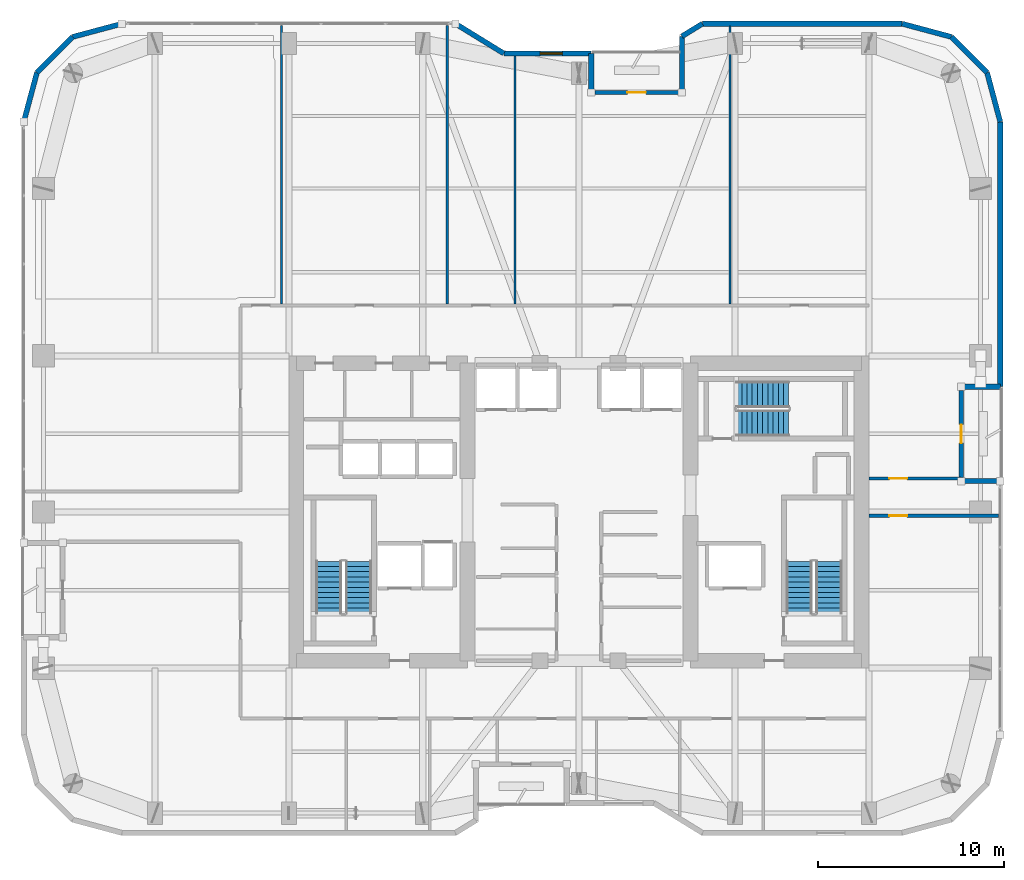
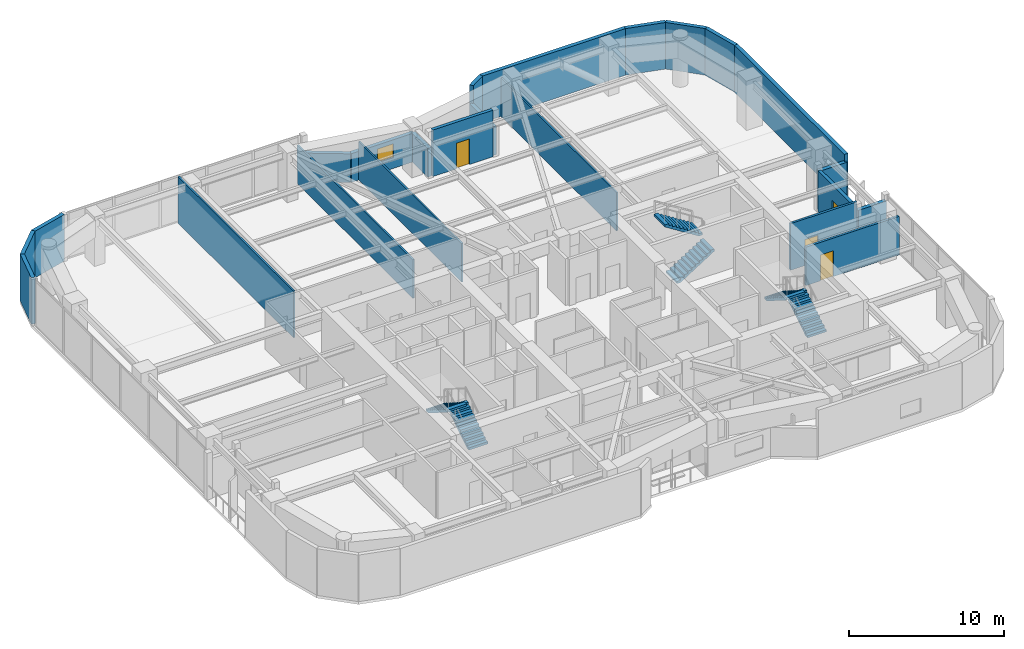
# One storey, part 27 of 30: 23 walls, 6 stair flights, 4 doors, 1 window, 5 openings, 3 elements without a shape of their own.
"""IFC4 building model written with IfcOpenShell, lengths in metres."""

from ifc_helpers import new_model, si_unit, direction, frame, frame_2d, origin, place, context, subcontext, project, spatial, polyline, rectangle, outline, extrude, material, layer, layer_set, type_object, element, fill, aggregate, save


model = new_model("IFC4")

# Units and contexts
model_context = context("Model", 3, precision=1e-05, world=origin(), true_north=direction((0.0, 1.0)))
body_context = subcontext(model_context, "Body", "Model", "MODEL_VIEW")
ifc_project = project(units=[si_unit("LENGTHUNIT", "METRE"), si_unit("AREAUNIT", "SQUARE_METRE"), si_unit("VOLUMEUNIT", "CUBIC_METRE"), si_unit("PLANEANGLEUNIT", "RADIAN"), si_unit("MASSUNIT", "GRAM", prefix="KILO")], contexts=[model_context])

# Site, building, storey
site_placement = place(None, origin())
site = spatial("IfcSite", under=ifc_project, at=site_placement, CompositionType="ELEMENT")
building_placement = place(site_placement, origin())
building = spatial("IfcBuilding", under=site, at=building_placement, Name="Kiyonajd Concourse Tower", CompositionType="ELEMENT")
storey_placement = place(building_placement, frame((0.0, 0.0, 170.10009765625)))
storey = spatial("IfcBuildingStorey", under=building, at=storey_placement, Name="L43", CompositionType="ELEMENT", Elevation=170.10009765625)

# Walls
ifc_material_1 = material(Name="Precast concrete C50/60", Category="concrete")
ifc_layer_1 = layer(ifc_material_1, 0.280029296875)
ifc_layer_set_1 = layer_set([ifc_layer_1], Name="Precast concrete C50/60")
wall_type_1 = type_object("IfcWallType", Name="WL-EXT-280", PredefinedType="SOLIDWALL", material=ifc_layer_set_1)
wall_1_placement = place(storey_placement, frame((18.139892578125, 56.981689453125, 0.0), z_axis=(0.0, 0.0, 1.0), x_axis=(0.258672222976, 0.9659651552, 0.0)))
element("IfcWall", 1, at=wall_1_placement, inside=storey, type_object=wall_type_1, Name="L43 Exterior Concrete Frame Wall 06", PredefinedType="SOLIDWALL", context=body_context, shape_type="SweptSolid", body=[
    extrude(rectangle(XDim=2.739013671875, YDim=0.280029296875, at=frame_2d((1.36962890625, 0.0))), origin(), (0.0, 0.0, 1.0), 3.679931640625),
])
wall_2_placement = place(storey_placement, frame((18.848388671875, 59.62744140625, 0.0), z_axis=(0.0, 0.0, 1.0), x_axis=(0.707106781187, 0.707106781187, 0.0)))
element("IfcWall", 2, at=wall_2_placement, inside=storey, type_object=wall_type_1, Name="L43 Exterior Concrete Frame Wall 07", PredefinedType="SOLIDWALL", context=body_context, shape_type="SweptSolid", body=[
    extrude(rectangle(XDim=2.720947265625, YDim=0.280029296875, at=frame_2d((1.3603515625, 0.0))), origin(), (0.0, 0.0, 1.0), 3.679931640625),
])
wall_3_placement = place(storey_placement, frame((20.7724609375, 61.551513671875, 0.0), z_axis=(0.0, 0.0, 1.0), x_axis=(0.965971118627, 0.258649952598, 0.0)))
element("IfcWall", 3, at=wall_3_placement, inside=storey, type_object=wall_type_1, Name="L43 Exterior Concrete Frame Wall 08", PredefinedType="SOLIDWALL", context=body_context, shape_type="SweptSolid", body=[
    extrude(rectangle(XDim=2.7392578125, YDim=0.280029296875, at=frame_2d((1.36962890625, 0.0))), origin(), (0.0, 0.0, 1.0), 3.679931640625),
])
wall_4_placement = place(storey_placement, frame((41.3603515625, 62.260009765625, 0.0), z_axis=(0.0, 0.0, 1.0), x_axis=(0.851652825334, -0.524106349037, 0.0)))
element("IfcWall", 4, at=wall_4_placement, inside=storey, type_object=wall_type_1, Name="L43 Exterior Concrete Frame Wall 10", PredefinedType="SOLIDWALL", context=body_context, shape_type="SweptSolid", body=[
    extrude(rectangle(XDim=3.052978515625, YDim=0.280029296875, at=frame_2d((1.5263671875, 0.0))), origin(), (0.0, 0.0, 1.0), 2.264892578125),
])

# Wall, opening, window
wall_5_placement = place(storey_placement, frame((43.96044921875, 60.659912109375, 0.0), z_axis=(0.0, 0.0, 1.0), x_axis=(1.0, 0.0, 0.0)))
wall_5 = element("IfcWall", 5, at=wall_5_placement, inside=storey, type_object=wall_type_1, Name="L43 Exterior Concrete Frame Wall 11", PredefinedType="SOLIDWALL", context=body_context, shape_type="SweptSolid", body=[
    extrude(rectangle(XDim=4.699462890625, YDim=0.280029296875, at=frame_2d((2.349609375, 0.0))), origin(), (0.0, 0.0, 1.0), 2.264892578125),
])
opening_1_placement = place(wall_5_placement, frame((1.955078125, 0.0, 0.85009765625)))
opening_1 = element("IfcOpeningElement", 6, at=opening_1_placement, cuts=wall_5, Name="Opening WN3", PredefinedType="OPENING", context=body_context, shape_type="SweptSolid", body=[
    extrude(rectangle(XDim=1.199951171875, YDim=1.10009765625, at=frame_2d((0.60009765625, 0.550048828125))), frame((0.0, 0.14990234375, 0.0), z_axis=(0.0, -1.0, 0.0), x_axis=(1.0, 0.0, 0.0)), (0.0, 0.0, 1.0), 0.300048828125),
])
ifc_material_2 = material(Name="Double Low-E Insulated Glass", Category="glass")
window_type = type_object("IfcWindowType", Name="WN-VIS-1200x1100", PartitioningType="SINGLE_PANEL", PredefinedType="WINDOW", material=ifc_material_2)
window_placement = place(opening_1_placement, origin())
window = element("IfcWindow", 7, at=window_placement, inside=storey, type_object=window_type, Name="L43 Modular Facade Vision Window 11", OverallHeight=1.10009765625, OverallWidth=1.199951171875, PartitioningType="SINGLE_PANEL", PredefinedType="WINDOW", context=body_context, shape_type="SweptSolid", body=[
    extrude(rectangle(XDim=1.199951171875, YDim=1.10009765625, at=frame_2d((0.60009765625, 0.550048828125))), frame((0.0, 0.030029296875, 0.0), z_axis=(0.0, -1.0, 0.0), x_axis=(1.0, 0.0, 0.0)), (0.0, 0.0, 1.0), 0.06005859375),
])
fill(opening_1, window)

# Walls
wall_6_placement = place(storey_placement, frame((48.659912109375, 60.659912109375, 0.0), z_axis=(0.0, 0.0, 1.0), x_axis=(0.0, -1.0, 0.0)))
element("IfcWall", 8, at=wall_6_placement, inside=storey, type_object=wall_type_1, Name="L43 Exterior Concrete Frame Wall 12", PredefinedType="SOLIDWALL", context=body_context, shape_type="SweptSolid", body=[
    extrude(rectangle(XDim=2.099853515625, YDim=0.280029296875, at=frame_2d((1.0498046875, 0.0))), origin(), (0.0, 0.0, 1.0), 2.264892578125),
])
wall_7_placement = place(storey_placement, frame((53.5400390625, 58.56005859375, 0.0), z_axis=(0.0, 0.0, 1.0), x_axis=(0.0, 1.0, 0.0)))
element("IfcWall", 9, at=wall_7_placement, inside=storey, type_object=wall_type_1, Name="L43 Exterior Concrete Frame Wall 14", PredefinedType="SOLIDWALL", context=body_context, shape_type="SweptSolid", body=[
    extrude(rectangle(XDim=3.023681640625, YDim=0.280029296875, at=frame_2d((1.51171875, 0.0))), origin(), (0.0, 0.0, 1.0), 2.264892578125),
])
wall_8_placement = place(storey_placement, frame((53.5400390625, 61.583740234375, 0.0), z_axis=(0.0, 0.0, 1.0), x_axis=(0.851801140441, 0.523865266212, 0.0)))
element("IfcWall", 10, at=wall_8_placement, inside=storey, type_object=wall_type_1, Name="L43 Exterior Concrete Frame Wall 15", PredefinedType="SOLIDWALL", context=body_context, shape_type="SweptSolid", body=[
    extrude(rectangle(XDim=1.291015625, YDim=0.280029296875, at=frame_2d((0.6455078125, 0.0))), origin(), (0.0, 0.0, 1.0), 3.679931640625),
])
wall_9_placement = place(storey_placement, frame((54.6396484375, 62.260009765625, 0.0), z_axis=(0.0, 0.0, 1.0), x_axis=(1.0, 0.0, 0.0)))
element("IfcWall", 11, at=wall_9_placement, inside=storey, type_object=wall_type_1, Name="L43 Exterior Concrete Frame Wall 16", PredefinedType="SOLIDWALL", context=body_context, shape_type="SweptSolid", body=[
    extrude(rectangle(XDim=10.741943359375, YDim=0.280029296875, at=frame_2d((5.37109375, 0.0))), origin(), (0.0, 0.0, 1.0), 3.679931640625),
])
wall_10_placement = place(storey_placement, frame((65.381591796875, 62.260009765625, 0.0), z_axis=(0.0, 0.0, 1.0), x_axis=(0.965971118627, -0.258649952598, 0.0)))
element("IfcWall", 12, at=wall_10_placement, inside=storey, type_object=wall_type_1, Name="L43 Exterior Concrete Frame Wall 17", PredefinedType="SOLIDWALL", context=body_context, shape_type="SweptSolid", body=[
    extrude(rectangle(XDim=2.7392578125, YDim=0.280029296875, at=frame_2d((1.36962890625, 0.0))), origin(), (0.0, 0.0, 1.0), 3.679931640625),
])
wall_11_placement = place(storey_placement, frame((68.027587890625, 61.551513671875, 0.0), z_axis=(0.0, 0.0, 1.0), x_axis=(0.707061915429, -0.707151644098, 0.0)))
element("IfcWall", 13, at=wall_11_placement, inside=storey, type_object=wall_type_1, Name="L43 Exterior Concrete Frame Wall 18", PredefinedType="SOLIDWALL", context=body_context, shape_type="SweptSolid", body=[
    extrude(rectangle(XDim=2.720947265625, YDim=0.280029296875, at=frame_2d((1.3603515625, 0.0))), origin(), (0.0, 0.0, 1.0), 3.679931640625),
])
wall_12_placement = place(storey_placement, frame((69.951416015625, 59.62744140625, 0.0), z_axis=(0.0, 0.0, 1.0), x_axis=(0.258672222976, -0.9659651552, 0.0)))
element("IfcWall", 14, at=wall_12_placement, inside=storey, type_object=wall_type_1, Name="L43 Exterior Concrete Frame Wall 19", PredefinedType="SOLIDWALL", context=body_context, shape_type="SweptSolid", body=[
    extrude(rectangle(XDim=2.739013671875, YDim=0.280029296875, at=frame_2d((1.36962890625, 0.0))), origin(), (0.0, 0.0, 1.0), 3.679931640625),
])
wall_13_placement = place(storey_placement, frame((70.659912109375, 56.981689453125, 0.0), z_axis=(0.0, 0.0, 1.0), x_axis=(0.0, -1.0, 0.0)))
element("IfcWall", 15, at=wall_13_placement, inside=storey, type_object=wall_type_1, Name="L43 Exterior Concrete Frame Wall 20", PredefinedType="SOLIDWALL", context=body_context, shape_type="SweptSolid", body=[
    extrude(rectangle(XDim=14.24169921875, YDim=0.280029296875, at=frame_2d((7.120849609375, 0.0))), origin(), (0.0, 0.0, 1.0), 3.679931640625),
])
for number, where, z_axis, x_axis, name in (
    (16, (70.659912109375, 42.739990234375, 0.0), (0.0, 0.0, 1.0), (-1.0, 0.0, 0.0), "L43 Exterior Concrete Frame Wall 21"),
    (17, (68.56005859375, 37.659912109375, 0.0), (0.0, 0.0, 1.0), (1.0, 0.0, 0.0), "L43 Exterior Concrete Frame Wall 23"),
):
    element("IfcWall", number, at=place(storey_placement, frame(where, z_axis=z_axis, x_axis=x_axis)), inside=storey, type_object=wall_type_1, Name=name, PredefinedType="SOLIDWALL", context=body_context, shape_type="SweptSolid", body=[
        extrude(rectangle(XDim=2.099853515625, YDim=0.280029296875, at=frame_2d((1.0498046875, 0.0))), origin(), (0.0, 0.0, 1.0), 3.115966796875),
    ])

# Wall, opening, door
ifc_layer_2 = layer(ifc_material_1, 0.239990234375)
ifc_layer_set_2 = layer_set([ifc_layer_2], Name="Precast concrete C50/60")
wall_type_2 = type_object("IfcWallType", Name="WL-LOG-240", PredefinedType="SOLIDWALL", material=ifc_layer_set_2)
wall_14_placement = place(storey_placement, frame((48.85498046875, 58.56005859375, 0.0), z_axis=(0.0, 0.0, 1.0), x_axis=(1.0, 0.0, 0.0)))
wall_14 = element("IfcWall", 18, at=wall_14_placement, inside=storey, type_object=wall_type_2, Name="L43 Recessed Loggia Thermal Wall LOG-N", PredefinedType="SOLIDWALL", context=body_context, shape_type="SweptSolid", body=[
    extrude(rectangle(XDim=4.489990234375, YDim=0.239990234375, at=frame_2d((2.2451171875, 0.0))), origin(), (0.0, 0.0, 1.0), 3.679931640625),
])
opening_2_placement = place(wall_14_placement, frame((1.7451171875, 0.0, 0.0)))
opening_2 = element("IfcOpeningElement", 19, at=opening_2_placement, cuts=wall_14, Name="Opening DL1", PredefinedType="OPENING", context=body_context, shape_type="SweptSolid", body=[
    extrude(rectangle(XDim=1.0, YDim=2.02001953125, at=frame_2d((0.5, 1.010009765625))), frame((0.0, 0.1298828125, 0.0), z_axis=(0.0, -1.0, 0.0), x_axis=(1.0, 0.0, 0.0)), (0.0, 0.0, 1.0), 0.260009765625),
])
ifc_material_3 = material(Name="Thermally Broken Anodised Aluminium", Category="aluminium")
door_type_1 = type_object("IfcDoorType", Name="DR-LOG-1000", OperationType="NOTDEFINED", PredefinedType="DOOR", material=ifc_material_3)
door_1_placement = place(opening_2_placement, origin())
door_1 = element("IfcDoor", 20, at=door_1_placement, inside=storey, type_object=door_type_1, Name="L43 Engawa Loggia Access Door LOG-N", OperationType="SINGLE_SWING_RIGHT", OverallHeight=2.02001953125, OverallWidth=1.0, PredefinedType="DOOR", context=body_context, shape_type="SweptSolid", body=[
    extrude(rectangle(XDim=1.0, YDim=2.02001953125, at=frame_2d((0.5, 1.010009765625))), frame((0.0, 0.02490234375, 0.0), z_axis=(0.0, -1.0, 0.0), x_axis=(1.0, 0.0, 0.0)), (0.0, 0.0, 1.0), 0.050048828125),
])
fill(opening_2, door_1)

wall_15_placement = place(storey_placement, frame((68.56005859375, 42.544921875, 0.0), z_axis=(0.0, 0.0, 1.0), x_axis=(0.0, -1.0, 0.0)))
wall_15 = element("IfcWall", 21, at=wall_15_placement, inside=storey, type_object=wall_type_2, Name="L43 Recessed Loggia Thermal Wall LOG-E", PredefinedType="SOLIDWALL", context=body_context, shape_type="SweptSolid", body=[
    extrude(rectangle(XDim=4.68994140625, YDim=0.239990234375, at=frame_2d((2.344970703125, 0.0))), origin(), (0.0, 0.0, 1.0), 3.247802734375),
])
opening_3_placement = place(wall_15_placement, frame((1.844970703125, 0.0, 0.0)))
opening_3 = element("IfcOpeningElement", 22, at=opening_3_placement, cuts=wall_15, Name="Opening DL1", PredefinedType="OPENING", context=body_context, shape_type="SweptSolid", body=[
    extrude(rectangle(XDim=1.0, YDim=2.02001953125, at=frame_2d((0.5, 1.010009765625))), frame((0.0, 0.1298828125, 0.0), z_axis=(0.0, -1.0, 0.0), x_axis=(1.0, 0.0, 0.0)), (0.0, 0.0, 1.0), 0.260009765625),
])
door_2_placement = place(opening_3_placement, origin())
door_2 = element("IfcDoor", 23, at=door_2_placement, inside=storey, type_object=door_type_1, Name="L43 Engawa Loggia Access Door LOG-E", OperationType="SINGLE_SWING_LEFT", OverallHeight=2.02001953125, OverallWidth=1.0, PredefinedType="DOOR", context=body_context, shape_type="SweptSolid", body=[
    extrude(rectangle(XDim=1.0, YDim=2.02001953125, at=frame_2d((0.5, 1.010009765625))), frame((0.0, 0.02490234375, 0.0), z_axis=(0.0, -1.0, 0.0), x_axis=(1.0, 0.0, 0.0)), (0.0, 0.0, 1.0), 0.050048828125),
])
fill(opening_3, door_2)

# Walls
ifc_material_4 = material(Name="Gypsum Board on Cold-Formed Steel Stud", Category="steel")
ifc_layer_3 = layer(ifc_material_4, 0.125)
ifc_layer_set_3 = layer_set([ifc_layer_3], Name="Gypsum Board on Cold-Formed Steel Stud")
wall_type_3 = type_object("IfcWallType", Name="WL-PART-125", PredefinedType="PARTITIONING", material=ifc_layer_set_3)
wall_16_placement = place(storey_placement, frame((32.0, 47.197021484375, 0.0), z_axis=(0.0, 0.0, 1.0), x_axis=(0.0, 1.0, 0.0)))
element("IfcWall", 24, at=wall_16_placement, inside=storey, type_object=wall_type_3, Name="L43 Interior Partition Wall", PredefinedType="PARTITIONING", context=body_context, shape_type="SweptSolid", body=[
    extrude(rectangle(XDim=14.968017578125, YDim=0.125, at=frame_2d((7.48388671875, 0.0))), origin(), (0.0, 0.0, 1.0), 3.679931640625),
])
wall_17_placement = place(storey_placement, frame((40.919921875, 47.197021484375, 0.0), z_axis=(0.0, 0.0, 1.0), x_axis=(0.0, 1.0, 0.0)))
element("IfcWall", 25, at=wall_17_placement, inside=storey, type_object=wall_type_3, Name="L43 Interior Partition Wall", PredefinedType="PARTITIONING", context=body_context, shape_type="SweptSolid", body=[
    extrude(rectangle(XDim=14.968017578125, YDim=0.125, at=frame_2d((7.48388671875, 0.0))), origin(), (0.0, 0.0, 1.0), 3.04296875),
])
wall_18_placement = place(storey_placement, frame((44.56005859375, 47.197021484375, 0.0), z_axis=(0.0, 0.0, 1.0), x_axis=(0.0, 1.0, 0.0)))
element("IfcWall", 26, at=wall_18_placement, inside=storey, type_object=wall_type_3, Name="L43 Interior Partition Wall", PredefinedType="PARTITIONING", context=body_context, shape_type="SweptSolid", body=[
    extrude(rectangle(XDim=13.327880859375, YDim=0.125, at=frame_2d((6.6640625, 0.0))), origin(), (0.0, 0.0, 1.0), 3.04296875),
])
wall_19_placement = place(storey_placement, frame((56.1201171875, 47.197021484375, 0.0), z_axis=(0.0, 0.0, 1.0), x_axis=(0.0, 1.0, 0.0)))
element("IfcWall", 27, at=wall_19_placement, inside=storey, type_object=wall_type_3, Name="L43 Interior Partition Wall", PredefinedType="PARTITIONING", context=body_context, shape_type="SweptSolid", body=[
    extrude(rectangle(XDim=14.927978515625, YDim=0.125, at=frame_2d((7.4638671875, 0.0))), origin(), (0.0, 0.0, 1.0), 3.04296875),
])

# Wall, opening, door
ifc_layer_4 = layer(ifc_material_4, 0.169921875)
ifc_layer_set_4 = layer_set([ifc_layer_4], Name="Gypsum Board on Cold-Formed Steel Stud")
wall_type_4 = type_object("IfcWallType", Name="WL-SMK-170", PredefinedType="PARTITIONING", material=ifc_layer_set_4)
wall_20_placement = place(storey_placement, frame((63.60009765625, 35.800048828125, 0.0), z_axis=(0.0, 0.0, 1.0), x_axis=(1.0, 0.0, 0.0)))
wall_20 = element("IfcWall", 28, at=wall_20_placement, inside=storey, type_object=wall_type_4, Name="L43 Interior Partition Wall", PredefinedType="PARTITIONING", context=body_context, shape_type="SweptSolid", body=[
    extrude(rectangle(XDim=6.974853515625, YDim=0.169921875, at=frame_2d((3.4873046875, 0.0))), origin(), (0.0, 0.0, 1.0), 3.04296875),
])
opening_4_placement = place(wall_20_placement, frame((1.10009765625, 0.0, 0.0)))
opening_4 = element("IfcOpeningElement", 29, at=opening_4_placement, cuts=wall_20, Name="Opening DI1", PredefinedType="OPENING", context=body_context, shape_type="SweptSolid", body=[
    extrude(rectangle(XDim=0.949951171875, YDim=2.0400390625, at=frame_2d((0.47509765625, 1.02001953125))), frame((0.0, 0.094970703125, 0.0), z_axis=(0.0, -1.0, 0.0), x_axis=(1.0, 0.0, 0.0)), (0.0, 0.0, 1.0), 0.18994140625),
])
ifc_material_5 = material(Name="Natural Oak Acoustic Timber Veneer", Category="wood")
door_type_2 = type_object("IfcDoorType", Name="DR-INT-950", OperationType="NOTDEFINED", PredefinedType="DOOR", material=ifc_material_5)
door_3_placement = place(opening_4_placement, origin())
door_3 = element("IfcDoor", 30, at=door_3_placement, inside=storey, type_object=door_type_2, Name="L43 Interior Door", OperationType="SINGLE_SWING_RIGHT", OverallHeight=2.0400390625, OverallWidth=0.949951171875, PredefinedType="DOOR", context=body_context, shape_type="SweptSolid", body=[
    extrude(rectangle(XDim=0.949951171875, YDim=2.0400390625, at=frame_2d((0.47509765625, 1.02001953125))), frame((0.0, 0.02490234375, 0.0), z_axis=(0.0, -1.0, 0.0), x_axis=(1.0, 0.0, 0.0)), (0.0, 0.0, 1.0), 0.050048828125),
])
fill(opening_4, door_3)

wall_21_placement = place(storey_placement, frame((63.60009765625, 37.800048828125, 0.0), z_axis=(0.0, 0.0, 1.0), x_axis=(1.0, 0.0, 0.0)))
wall_21 = element("IfcWall", 31, at=wall_21_placement, inside=storey, type_object=wall_type_4, Name="L43 Interior Partition Wall", PredefinedType="PARTITIONING", context=body_context, shape_type="SweptSolid", body=[
    extrude(rectangle(XDim=4.9599609375, YDim=0.169921875, at=frame_2d((2.47998046875, 0.0))), origin(), (0.0, 0.0, 1.0), 3.679931640625),
])
opening_5_placement = place(wall_21_placement, frame((1.10009765625, 0.0, 0.0)))
opening_5 = element("IfcOpeningElement", 32, at=opening_5_placement, cuts=wall_21, Name="Opening DI1", PredefinedType="OPENING", context=body_context, shape_type="SweptSolid", body=[
    extrude(rectangle(XDim=0.949951171875, YDim=2.0400390625, at=frame_2d((0.47509765625, 1.02001953125))), frame((0.0, 0.094970703125, 0.0), z_axis=(0.0, -1.0, 0.0), x_axis=(1.0, 0.0, 0.0)), (0.0, 0.0, 1.0), 0.18994140625),
])
door_4_placement = place(opening_5_placement, origin())
door_4 = element("IfcDoor", 33, at=door_4_placement, inside=storey, type_object=door_type_2, Name="L43 Interior Door", OperationType="SINGLE_SWING_LEFT", OverallHeight=2.0400390625, OverallWidth=0.949951171875, PredefinedType="DOOR", context=body_context, shape_type="SweptSolid", body=[
    extrude(rectangle(XDim=0.949951171875, YDim=2.0400390625, at=frame_2d((0.47509765625, 1.02001953125))), frame((0.0, 0.02490234375, 0.0), z_axis=(0.0, -1.0, 0.0), x_axis=(1.0, 0.0, 0.0)), (0.0, 0.0, 1.0), 0.050048828125),
])
fill(opening_5, door_4)

# Stair, stair flights
ifc_material_6 = material(Name="Concrete C40/50", Category="concrete")
stair_type = type_object("IfcStairType", Name="ST-DLG-22R", PredefinedType="HALF_TURN_STAIR", material=ifc_material_6)
stair_1_placement = place(storey_placement, origin())
stair_1 = element("IfcStair", 34, at=stair_1_placement, inside=storey, type_object=stair_type, Name="L43 Protected Exit Stair ST1", PredefinedType="HALF_TURN_STAIR")
stair_flight_type = type_object("IfcStairFlightType", Name="SF-STR-22R", PredefinedType="STRAIGHT", material=ifc_material_6)
stair_flight_1_placement = place(storey_placement, frame((36.14990234375, 30.550048828125, 0.0), z_axis=(0.0, 0.0, 1.0), x_axis=(0.0, 1.0, 0.0)))
stair_flight_1 = element("IfcStairFlight", 35, at=stair_flight_1_placement, type_object=stair_flight_type, Name="ST1 flight 1", NumberOfRisers=11, NumberOfTreads=10, PredefinedType="STRAIGHT", RiserHeight=0.177272727, TreadLength=0.28, context=body_context, shape_type="SweptSolid", body=[
    extrude(outline(polyline([(0.0, 0.0), (0.0, 0.17724609375), (0.280029296875, 0.17724609375), (0.280029296875, 0.3544921875), (0.56005859375, 0.3544921875), (0.56005859375, 0.53173828125), (0.840087890625, 0.53173828125), (0.840087890625, 0.708984375), (1.1201171875, 0.708984375), (1.1201171875, 0.886474609375), (1.39990234375, 0.886474609375), (1.39990234375, 1.063720703125), (1.679931640625, 1.063720703125), (1.679931640625, 1.240966796875), (1.9599609375, 1.240966796875), (1.9599609375, 1.418212890625), (2.239990234375, 1.418212890625), (2.239990234375, 1.595458984375), (2.52001953125, 1.595458984375), (2.52001953125, 1.772705078125), (2.800048828125, 1.772705078125), (2.800048828125, 1.949951171875), (2.800048828125, 1.59521484375), (0.2802734375, 0.0), (0.0, 0.0)])), frame((0.0, 0.699951171875, 0.0), z_axis=(0.0, -1.0, 0.0), x_axis=(1.0, 0.0, 0.0)), (0.0, 0.0, 1.0), 1.39990234375),
])
stair_flight_2_placement = place(storey_placement, frame((34.550048828125, 33.35009765625, 1.949951171875), z_axis=(0.0, 0.0, 1.0), x_axis=(0.0, -1.0, 0.0)))
stair_flight_2 = element("IfcStairFlight", 36, at=stair_flight_2_placement, type_object=stair_flight_type, Name="ST1 flight 2", NumberOfRisers=11, NumberOfTreads=10, PredefinedType="STRAIGHT", RiserHeight=0.177272727, TreadLength=0.28, context=body_context, shape_type="SweptSolid", body=[
    extrude(outline(polyline([(0.0, 0.0), (0.0, 0.17724609375), (0.280029296875, 0.17724609375), (0.280029296875, 0.3544921875), (0.56005859375, 0.3544921875), (0.56005859375, 0.53173828125), (0.840087890625, 0.53173828125), (0.840087890625, 0.708984375), (1.1201171875, 0.708984375), (1.1201171875, 0.886474609375), (1.39990234375, 0.886474609375), (1.39990234375, 1.063720703125), (1.679931640625, 1.063720703125), (1.679931640625, 1.240966796875), (1.9599609375, 1.240966796875), (1.9599609375, 1.418212890625), (2.239990234375, 1.418212890625), (2.239990234375, 1.595458984375), (2.52001953125, 1.595458984375), (2.52001953125, 1.772705078125), (2.800048828125, 1.772705078125), (2.800048828125, 1.949951171875), (2.800048828125, 1.59521484375), (0.2802734375, 0.0), (0.0, 0.0)])), frame((0.0, 0.699951171875, 0.0), z_axis=(0.0, -1.0, 0.0), x_axis=(1.0, 0.0, 0.0)), (0.0, 0.0, 1.0), 1.39990234375),
])
aggregate(stair_1, [stair_flight_1, stair_flight_2])

stair_2_placement = place(storey_placement, origin())
stair_2 = element("IfcStair", 37, at=stair_2_placement, inside=storey, type_object=stair_type, Name="L43 Protected Exit Stair ST2", PredefinedType="HALF_TURN_STAIR")
stair_flight_3_placement = place(storey_placement, frame((61.449951171875, 30.550048828125, 0.0), z_axis=(0.0, 0.0, 1.0), x_axis=(0.0, 1.0, 0.0)))
stair_flight_3 = element("IfcStairFlight", 38, at=stair_flight_3_placement, type_object=stair_flight_type, Name="ST2 flight 1", NumberOfRisers=11, NumberOfTreads=10, PredefinedType="STRAIGHT", RiserHeight=0.177272727, TreadLength=0.28, context=body_context, shape_type="SweptSolid", body=[
    extrude(outline(polyline([(0.0, 0.0), (0.0, 0.17724609375), (0.280029296875, 0.17724609375), (0.280029296875, 0.3544921875), (0.56005859375, 0.3544921875), (0.56005859375, 0.53173828125), (0.840087890625, 0.53173828125), (0.840087890625, 0.708984375), (1.1201171875, 0.708984375), (1.1201171875, 0.886474609375), (1.39990234375, 0.886474609375), (1.39990234375, 1.063720703125), (1.679931640625, 1.063720703125), (1.679931640625, 1.240966796875), (1.9599609375, 1.240966796875), (1.9599609375, 1.418212890625), (2.239990234375, 1.418212890625), (2.239990234375, 1.595458984375), (2.52001953125, 1.595458984375), (2.52001953125, 1.772705078125), (2.800048828125, 1.772705078125), (2.800048828125, 1.949951171875), (2.800048828125, 1.59521484375), (0.2802734375, 0.0), (0.0, 0.0)])), frame((0.0, 0.699951171875, 0.0), z_axis=(0.0, -1.0, 0.0), x_axis=(1.0, 0.0, 0.0)), (0.0, 0.0, 1.0), 1.39990234375),
])
stair_flight_4_placement = place(storey_placement, frame((59.85009765625, 33.35009765625, 1.949951171875), z_axis=(0.0, 0.0, 1.0), x_axis=(0.0, -1.0, 0.0)))
stair_flight_4 = element("IfcStairFlight", 39, at=stair_flight_4_placement, type_object=stair_flight_type, Name="ST2 flight 2", NumberOfRisers=11, NumberOfTreads=10, PredefinedType="STRAIGHT", RiserHeight=0.177272727, TreadLength=0.28, context=body_context, shape_type="SweptSolid", body=[
    extrude(outline(polyline([(0.0, 0.0), (0.0, 0.17724609375), (0.280029296875, 0.17724609375), (0.280029296875, 0.3544921875), (0.56005859375, 0.3544921875), (0.56005859375, 0.53173828125), (0.840087890625, 0.53173828125), (0.840087890625, 0.708984375), (1.1201171875, 0.708984375), (1.1201171875, 0.886474609375), (1.39990234375, 0.886474609375), (1.39990234375, 1.063720703125), (1.679931640625, 1.063720703125), (1.679931640625, 1.240966796875), (1.9599609375, 1.240966796875), (1.9599609375, 1.418212890625), (2.239990234375, 1.418212890625), (2.239990234375, 1.595458984375), (2.52001953125, 1.595458984375), (2.52001953125, 1.772705078125), (2.800048828125, 1.772705078125), (2.800048828125, 1.949951171875), (2.800048828125, 1.59521484375), (0.2802734375, 0.0), (0.0, 0.0)])), frame((0.0, 0.699951171875, 0.0), z_axis=(0.0, -1.0, 0.0), x_axis=(1.0, 0.0, 0.0)), (0.0, 0.0, 1.0), 1.39990234375),
])
aggregate(stair_2, [stair_flight_3, stair_flight_4])

stair_3_placement = place(storey_placement, origin())
stair_3 = element("IfcStair", 40, at=stair_3_placement, inside=storey, type_object=stair_type, Name="L43 Protected Exit Stair ST3", PredefinedType="HALF_TURN_STAIR")
stair_flight_5_placement = place(storey_placement, frame((56.47998046875, 40.780029296875, 0.0), z_axis=(0.0, 0.0, 1.0), x_axis=(1.0, 0.0, 0.0)))
stair_flight_5 = element("IfcStairFlight", 41, at=stair_flight_5_placement, type_object=stair_flight_type, Name="ST3 flight 1", NumberOfRisers=11, NumberOfTreads=10, PredefinedType="STRAIGHT", RiserHeight=0.177272727, TreadLength=0.28, context=body_context, shape_type="SweptSolid", body=[
    extrude(outline(polyline([(0.0, 0.0), (0.0, 0.17724609375), (0.280029296875, 0.17724609375), (0.280029296875, 0.3544921875), (0.56005859375, 0.3544921875), (0.56005859375, 0.53173828125), (0.840087890625, 0.53173828125), (0.840087890625, 0.708984375), (1.1201171875, 0.708984375), (1.1201171875, 0.886474609375), (1.39990234375, 0.886474609375), (1.39990234375, 1.063720703125), (1.679931640625, 1.063720703125), (1.679931640625, 1.240966796875), (1.9599609375, 1.240966796875), (1.9599609375, 1.418212890625), (2.239990234375, 1.418212890625), (2.239990234375, 1.595458984375), (2.52001953125, 1.595458984375), (2.52001953125, 1.772705078125), (2.800048828125, 1.772705078125), (2.800048828125, 1.949951171875), (2.800048828125, 1.59521484375), (0.2802734375, 0.0), (0.0, 0.0)])), frame((0.0, 0.699951171875, 0.0), z_axis=(0.0, -1.0, 0.0), x_axis=(1.0, 0.0, 0.0)), (0.0, 0.0, 1.0), 1.39990234375),
])
stair_flight_6_placement = place(storey_placement, frame((59.280029296875, 42.320068359375, 1.949951171875), z_axis=(0.0, 0.0, 1.0), x_axis=(-1.0, 0.0, 0.0)))
stair_flight_6 = element("IfcStairFlight", 42, at=stair_flight_6_placement, type_object=stair_flight_type, Name="ST3 flight 2", NumberOfRisers=11, NumberOfTreads=10, PredefinedType="STRAIGHT", RiserHeight=0.177272727, TreadLength=0.28, context=body_context, shape_type="SweptSolid", body=[
    extrude(outline(polyline([(0.0, 0.0), (0.0, 0.17724609375), (0.280029296875, 0.17724609375), (0.280029296875, 0.3544921875), (0.56005859375, 0.3544921875), (0.56005859375, 0.53173828125), (0.840087890625, 0.53173828125), (0.840087890625, 0.708984375), (1.1201171875, 0.708984375), (1.1201171875, 0.886474609375), (1.39990234375, 0.886474609375), (1.39990234375, 1.063720703125), (1.679931640625, 1.063720703125), (1.679931640625, 1.240966796875), (1.9599609375, 1.240966796875), (1.9599609375, 1.418212890625), (2.239990234375, 1.418212890625), (2.239990234375, 1.595458984375), (2.52001953125, 1.595458984375), (2.52001953125, 1.772705078125), (2.800048828125, 1.772705078125), (2.800048828125, 1.949951171875), (2.800048828125, 1.59521484375), (0.2802734375, 0.0), (0.0, 0.0)])), frame((0.0, 0.699951171875, 0.0), z_axis=(0.0, -1.0, 0.0), x_axis=(1.0, 0.0, 0.0)), (0.0, 0.0, 1.0), 1.39990234375),
])
aggregate(stair_3, [stair_flight_5, stair_flight_6])

save(model, "model.ifc")
